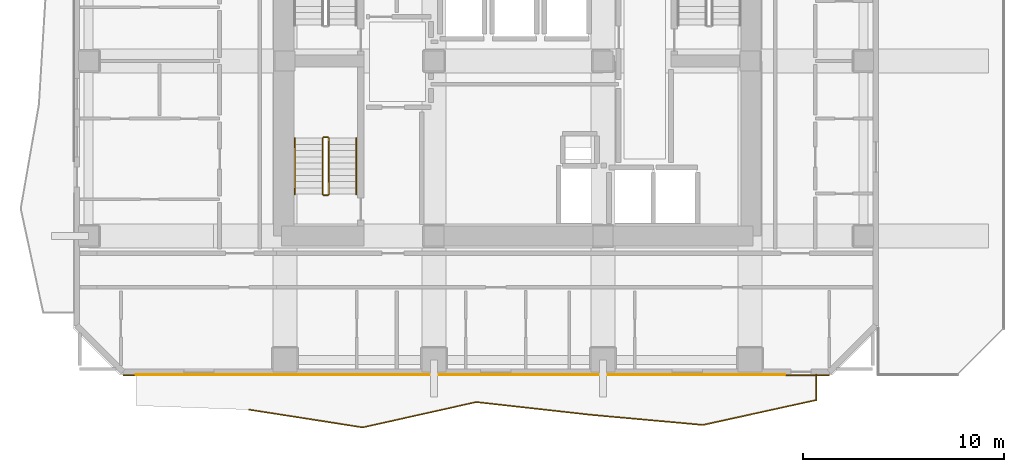
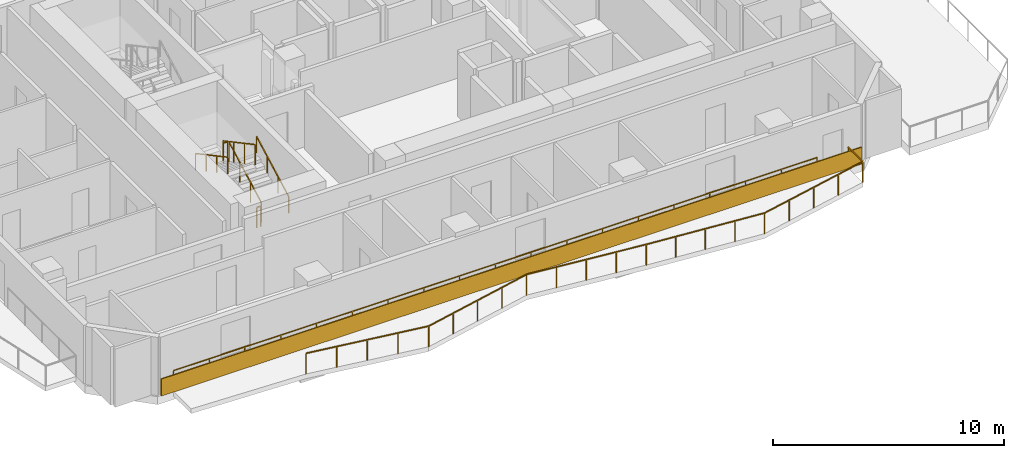
# One storey, part 8 of 11: 8 railings, 1 covering.
"""IFC4 building model written with IfcOpenShell, lengths in metres."""

from ifc_helpers import new_model, si_unit, direction, frame, frame_2d, origin, origin_2d, place, context, subcontext, project, spatial, rectangle, extrude, material, layer, layer_set, type_object, element, save


model = new_model("IFC4")

# Units and contexts
model_context = context("Model", 3, precision=1e-05, world=origin(), true_north=direction((0.0, 1.0)))
body_context = subcontext(model_context, "Body", "Model", "MODEL_VIEW")
ifc_project = project(units=[si_unit("LENGTHUNIT", "METRE"), si_unit("AREAUNIT", "SQUARE_METRE"), si_unit("VOLUMEUNIT", "CUBIC_METRE"), si_unit("PLANEANGLEUNIT", "RADIAN"), si_unit("MASSUNIT", "GRAM", prefix="KILO")], contexts=[model_context])

# Site, building, storey
site_placement = place(None, origin())
site = spatial("IfcSite", under=ifc_project, at=site_placement, CompositionType="ELEMENT")
building_placement = place(site_placement, origin())
building = spatial("IfcBuilding", under=site, at=building_placement, Name="Solanera Arch Residences", CompositionType="ELEMENT")
storey_placement = place(building_placement, frame((0.0, 0.0, 165.840087890625)))
storey = spatial("IfcBuildingStorey", under=building, at=storey_placement, Name="L48", CompositionType="ELEMENT", Elevation=165.840087890625)

# Railings
ifc_material_1 = material(Name="Steel S355 (ASTM A992 / A572 Grade 50)", Category="steel")
railing_type_1 = type_object("IfcRailingType", Name="Balustrade Railing BL-1100", PredefinedType="BALUSTRADE", material=ifc_material_1)
railing_1_placement = place(storey_placement, frame((11.633056640625, 13.37109375, 0.0)))
element("IfcRailing", 1, at=railing_1_placement, inside=storey, type_object=railing_type_1, Name="L48 S Balcony Balustrade 1", PredefinedType="BALUSTRADE", context=body_context, shape_type="SweptSolid", body=[
    extrude(rectangle(XDim=0.048095703125, YDim=0.048095703125, at=origin_2d()), frame((0.0, 0.0, 1.09619140625), z_axis=(0.988017134967, -0.154344228953, 0.0), x_axis=(0.154344228953, 0.988017134967, 0.0)), (0.0, 0.0, 1.0), 5.702392578125),
    extrude(rectangle(XDim=0.048095703125, YDim=0.048095703125, at=origin_2d()), frame((5.634033203125, -0.880126953125, 1.09619140625), z_axis=(0.975918590037, 0.218135062796, 0.0), x_axis=(-0.218135062796, 0.975918590037, 0.0)), (0.0, 0.0, 1.0), 5.771728515625),
    extrude(rectangle(XDim=0.048095703125, YDim=0.048095703125, at=origin_2d()), frame((11.266845703125, 0.37890625, 1.09619140625), z_axis=(0.993863230809, -0.110615905028, 0.0), x_axis=(0.110615905028, 0.993863230809, 0.0)), (0.0, 0.0, 1.0), 5.667724609375),
    extrude(rectangle(XDim=0.048095703125, YDim=0.048095703125, at=origin_2d()), frame((16.89990234375, -0.248046875, 1.09619140625), z_axis=(0.995943285561, -0.089983175907, 0.0), x_axis=(0.089983175907, 0.995943285561, 0.0)), (0.0, 0.0, 1.0), 5.656982421875),
    extrude(rectangle(XDim=0.048095703125, YDim=0.048095703125, at=origin_2d()), frame((22.533935546875, -0.757080078125, 1.09619140625), z_axis=(0.976760341642, 0.214334399936, 0.0), x_axis=(-0.214334399936, 0.976760341642, 0.0)), (0.0, 0.0, 1.0), 5.76708984375),
    extrude(rectangle(XDim=0.048095703125, YDim=0.048095703125, at=origin_2d()), frame((28.1669921875, 0.47900390625, 1.09619140625), z_axis=(0.0, 1.0, 0.0), x_axis=(-1.0, 0.0, 0.0)), (0.0, 0.0, 1.0), 1.27001953125),
    extrude(rectangle(XDim=0.0419921875, YDim=0.0419921875, at=origin_2d()), origin(), (0.0, 0.0, 1.0), 1.072021484375),
    extrude(rectangle(XDim=0.0419921875, YDim=0.0419921875, at=origin_2d()), frame((1.408447265625, -0.219970703125, 0.0)), (0.0, 0.0, 1.0), 1.072021484375),
    extrude(rectangle(XDim=0.0419921875, YDim=0.0419921875, at=origin_2d()), frame((2.81689453125, -0.43994140625, 0.0)), (0.0, 0.0, 1.0), 1.072021484375),
    extrude(rectangle(XDim=0.0419921875, YDim=0.0419921875, at=origin_2d()), frame((4.2255859375, -0.66015625, 0.0)), (0.0, 0.0, 1.0), 1.072021484375),
    extrude(rectangle(XDim=0.0419921875, YDim=0.0419921875, at=origin_2d()), frame((5.634033203125, -0.880126953125, 0.0)), (0.0, 0.0, 1.0), 1.072021484375),
    extrude(rectangle(XDim=0.0419921875, YDim=0.0419921875, at=origin_2d()), frame((7.042236328125, -0.5654296875, 0.0)), (0.0, 0.0, 1.0), 1.072021484375),
    extrude(rectangle(XDim=0.0419921875, YDim=0.0419921875, at=origin_2d()), frame((8.450439453125, -0.25048828125, 0.0)), (0.0, 0.0, 1.0), 1.072021484375),
    extrude(rectangle(XDim=0.0419921875, YDim=0.0419921875, at=origin_2d()), frame((9.858642578125, 0.064208984375, 0.0)), (0.0, 0.0, 1.0), 1.072021484375),
    extrude(rectangle(XDim=0.0419921875, YDim=0.0419921875, at=origin_2d()), frame((11.266845703125, 0.37890625, 0.0)), (0.0, 0.0, 1.0), 1.072021484375),
    extrude(rectangle(XDim=0.0419921875, YDim=0.0419921875, at=origin_2d()), frame((12.675048828125, 0.22216796875, 0.0)), (0.0, 0.0, 1.0), 1.072021484375),
    extrude(rectangle(XDim=0.0419921875, YDim=0.0419921875, at=origin_2d()), frame((14.08349609375, 0.0654296875, 0.0)), (0.0, 0.0, 1.0), 1.072021484375),
    extrude(rectangle(XDim=0.0419921875, YDim=0.0419921875, at=origin_2d()), frame((15.49169921875, -0.09130859375, 0.0)), (0.0, 0.0, 1.0), 1.072021484375),
    extrude(rectangle(XDim=0.0419921875, YDim=0.0419921875, at=origin_2d()), frame((16.89990234375, -0.248046875, 0.0)), (0.0, 0.0, 1.0), 1.072021484375),
    extrude(rectangle(XDim=0.0419921875, YDim=0.0419921875, at=origin_2d()), frame((18.308349609375, -0.375244140625, 0.0)), (0.0, 0.0, 1.0), 1.072021484375),
    extrude(rectangle(XDim=0.0419921875, YDim=0.0419921875, at=origin_2d()), frame((19.716796875, -0.50244140625, 0.0)), (0.0, 0.0, 1.0), 1.072021484375),
    extrude(rectangle(XDim=0.0419921875, YDim=0.0419921875, at=origin_2d()), frame((21.12548828125, -0.6298828125, 0.0)), (0.0, 0.0, 1.0), 1.072021484375),
    extrude(rectangle(XDim=0.0419921875, YDim=0.0419921875, at=origin_2d()), frame((22.533935546875, -0.757080078125, 0.0)), (0.0, 0.0, 1.0), 1.072021484375),
    extrude(rectangle(XDim=0.0419921875, YDim=0.0419921875, at=origin_2d()), frame((23.942138671875, -0.447998046875, 0.0)), (0.0, 0.0, 1.0), 1.072021484375),
    extrude(rectangle(XDim=0.0419921875, YDim=0.0419921875, at=origin_2d()), frame((25.3505859375, -0.13916015625, 0.0)), (0.0, 0.0, 1.0), 1.072021484375),
    extrude(rectangle(XDim=0.0419921875, YDim=0.0419921875, at=origin_2d()), frame((26.7587890625, 0.169921875, 0.0)), (0.0, 0.0, 1.0), 1.072021484375),
    extrude(rectangle(XDim=0.0419921875, YDim=0.0419921875, at=origin_2d()), frame((28.1669921875, 0.47900390625, 0.0)), (0.0, 0.0, 1.0), 1.072021484375),
    extrude(rectangle(XDim=0.0419921875, YDim=0.0419921875, at=origin_2d()), frame((28.1669921875, 1.7490234375, 0.0)), (0.0, 0.0, 1.0), 1.072021484375),
])
railing_2_placement = place(storey_placement, frame((38.240966796875, 15.1201171875, 0.0)))
element("IfcRailing", 2, at=railing_2_placement, inside=storey, type_object=railing_type_1, Name="L48 S Balcony Balustrade 2", PredefinedType="BALUSTRADE", context=body_context, shape_type="SweptSolid", body=[
    extrude(rectangle(XDim=0.048095703125, YDim=0.048095703125, at=origin_2d()), frame((0.0, 0.0, 1.09619140625), z_axis=(-1.0, 0.0, 0.0), x_axis=(0.0, -1.0, 0.0)), (0.0, 0.0, 1.0), 32.240966796875),
    extrude(rectangle(XDim=0.0419921875, YDim=0.0419921875, at=origin_2d()), origin(), (0.0, 0.0, 1.0), 1.072021484375),
    extrude(rectangle(XDim=0.0419921875, YDim=0.0419921875, at=origin_2d()), frame((-1.791259765625, 0.0, 0.0)), (0.0, 0.0, 1.0), 1.072021484375),
    extrude(rectangle(XDim=0.0419921875, YDim=0.0419921875, at=origin_2d()), frame((-3.582275390625, 0.0, 0.0)), (0.0, 0.0, 1.0), 1.072021484375),
    extrude(rectangle(XDim=0.0419921875, YDim=0.0419921875, at=origin_2d()), frame((-5.37353515625, 0.0, 0.0)), (0.0, 0.0, 1.0), 1.072021484375),
    extrude(rectangle(XDim=0.0419921875, YDim=0.0419921875, at=origin_2d()), frame((-7.16455078125, 0.0, 0.0)), (0.0, 0.0, 1.0), 1.072021484375),
    extrude(rectangle(XDim=0.0419921875, YDim=0.0419921875, at=origin_2d()), frame((-8.955810546875, 0.0, 0.0)), (0.0, 0.0, 1.0), 1.072021484375),
    extrude(rectangle(XDim=0.0419921875, YDim=0.0419921875, at=origin_2d()), frame((-10.7470703125, 0.0, 0.0)), (0.0, 0.0, 1.0), 1.072021484375),
    extrude(rectangle(XDim=0.0419921875, YDim=0.0419921875, at=origin_2d()), frame((-12.5380859375, 0.0, 0.0)), (0.0, 0.0, 1.0), 1.072021484375),
    extrude(rectangle(XDim=0.0419921875, YDim=0.0419921875, at=origin_2d()), frame((-14.329345703125, 0.0, 0.0)), (0.0, 0.0, 1.0), 1.072021484375),
    extrude(rectangle(XDim=0.0419921875, YDim=0.0419921875, at=origin_2d()), frame((-16.12060546875, 0.0, 0.0)), (0.0, 0.0, 1.0), 1.072021484375),
    extrude(rectangle(XDim=0.0419921875, YDim=0.0419921875, at=origin_2d()), frame((-17.91162109375, 0.0, 0.0)), (0.0, 0.0, 1.0), 1.072021484375),
    extrude(rectangle(XDim=0.0419921875, YDim=0.0419921875, at=origin_2d()), frame((-19.702880859375, 0.0, 0.0)), (0.0, 0.0, 1.0), 1.072021484375),
    extrude(rectangle(XDim=0.0419921875, YDim=0.0419921875, at=origin_2d()), frame((-21.493896484375, 0.0, 0.0)), (0.0, 0.0, 1.0), 1.072021484375),
    extrude(rectangle(XDim=0.0419921875, YDim=0.0419921875, at=origin_2d()), frame((-23.28515625, 0.0, 0.0)), (0.0, 0.0, 1.0), 1.072021484375),
    extrude(rectangle(XDim=0.0419921875, YDim=0.0419921875, at=origin_2d()), frame((-25.076416015625, 0.0, 0.0)), (0.0, 0.0, 1.0), 1.072021484375),
    extrude(rectangle(XDim=0.0419921875, YDim=0.0419921875, at=origin_2d()), frame((-26.867431640625, 0.0, 0.0)), (0.0, 0.0, 1.0), 1.072021484375),
    extrude(rectangle(XDim=0.0419921875, YDim=0.0419921875, at=origin_2d()), frame((-28.65869140625, 0.0, 0.0)), (0.0, 0.0, 1.0), 1.072021484375),
    extrude(rectangle(XDim=0.0419921875, YDim=0.0419921875, at=origin_2d()), frame((-30.44970703125, 0.0, 0.0)), (0.0, 0.0, 1.0), 1.072021484375),
    extrude(rectangle(XDim=0.0419921875, YDim=0.0419921875, at=origin_2d()), frame((-32.240966796875, 0.0, 0.0)), (0.0, 0.0, 1.0), 1.072021484375),
])

# Covering
ifc_material_2 = material(Name="Philippine Adobe Travertine Cladding", Category="masonry")
ifc_layer = layer(ifc_material_2, 0.06005859375)
ifc_layer_set = layer_set([ifc_layer], Name="Philippine Adobe Travertine Cladding")
covering_type = type_object("IfcCoveringType", Name="Precast Pier Stone Cladding CLD-60", PredefinedType="CLADDING", material=ifc_layer_set)
covering_placement = place(storey_placement, frame((40.445068359375, 15.0849609375, 0.0), z_axis=(0.0, 0.0, 1.0), x_axis=(-1.0, 0.0, 0.0)))
element("IfcCovering", 3, at=covering_placement, inside=storey, type_object=covering_type, Name="L48 S Precast Spandrel Stone Band", PredefinedType="CLADDING", context=body_context, shape_type="SweptSolid", body=[
    extrude(rectangle(XDim=35.090087890625, YDim=0.06005859375, at=frame_2d((17.544921875, 0.0))), origin(), (0.0, 0.0, 1.0), 0.89990234375),
])

# Railings
ifc_material_3 = material(Name="Steel S355 (ASTM A992 / A572 Grade 50)", Category="steel")
railing_type_2 = type_object("IfcRailingType", Name="Stair Guardrail GR-1100", PredefinedType="GUARDRAIL", material=ifc_material_3)
railing_3_placement = place(storey_placement, frame((15.570068359375, 24.080078125, 0.15087890625)))
element("IfcRailing", 4, at=railing_3_placement, inside=storey, type_object=railing_type_2, Name="L48 ST-T3 stair guard 1", PredefinedType="GUARDRAIL", context=body_context, shape_type="SweptSolid", body=[
    extrude(rectangle(XDim=0.048095703125, YDim=0.048095703125, at=origin_2d()), frame((0.0, 0.0, 1.076171875), z_axis=(0.0, 0.881548766853, 0.472092969298), x_axis=(-1.0, 0.0, 0.0)), (0.0, 0.0, 1.0), 3.1650390625),
    extrude(rectangle(XDim=0.0419921875, YDim=0.0419921875, at=origin_2d()), origin(), (0.0, 0.0, 1.0), 1.052001953125),
    extrude(rectangle(XDim=0.0419921875, YDim=0.0419921875, at=origin_2d()), frame((0.0, 0.929931640625, 0.498046875)), (0.0, 0.0, 1.0), 1.052001953125),
    extrude(rectangle(XDim=0.0419921875, YDim=0.0419921875, at=origin_2d()), frame((0.0, 1.860107421875, 0.99609375)), (0.0, 0.0, 1.0), 1.052001953125),
    extrude(rectangle(XDim=0.0419921875, YDim=0.0419921875, at=origin_2d()), frame((0.0, 2.7900390625, 1.494140625)), (0.0, 0.0, 1.0), 1.052001953125),
])
railing_4_placement = place(storey_placement, frame((15.52001953125, 26.919921875, 1.64501953125)))
element("IfcRailing", 5, at=railing_4_placement, inside=storey, type_object=railing_type_2, Name="L48 ST-T3 stair guard 2", PredefinedType="GUARDRAIL", context=body_context, shape_type="SweptSolid", body=[
    extrude(rectangle(XDim=0.048095703125, YDim=0.048095703125, at=origin_2d()), frame((0.0, 0.0, 1.076171875), z_axis=(-1.0, 0.0, 0.0), x_axis=(0.0, -1.0, 0.0)), (0.0, 0.0, 1.0), 0.199951171875),
    extrude(rectangle(XDim=0.0419921875, YDim=0.0419921875, at=origin_2d()), origin(), (0.0, 0.0, 1.0), 1.052001953125),
    extrude(rectangle(XDim=0.0419921875, YDim=0.0419921875, at=origin_2d()), frame((-0.199951171875, 0.0, 0.0)), (0.0, 0.0, 1.0), 1.052001953125),
])
railing_5_placement = place(storey_placement, frame((15.27001953125, 26.8701171875, 1.810791015625)))
element("IfcRailing", 6, at=railing_5_placement, inside=storey, type_object=railing_type_2, Name="L48 ST-T3 stair guard 3", PredefinedType="GUARDRAIL", context=body_context, shape_type="SweptSolid", body=[
    extrude(rectangle(XDim=0.048095703125, YDim=0.048095703125, at=origin_2d()), frame((0.0, 0.0, 1.076171875), z_axis=(0.0, -0.881548766853, 0.472092969298), x_axis=(1.0, 0.0, 0.0)), (0.0, 0.0, 1.0), 3.1650390625),
    extrude(rectangle(XDim=0.0419921875, YDim=0.0419921875, at=origin_2d()), origin(), (0.0, 0.0, 1.0), 1.052001953125),
    extrude(rectangle(XDim=0.0419921875, YDim=0.0419921875, at=origin_2d()), frame((0.0, -0.929931640625, 0.498046875)), (0.0, 0.0, 1.0), 1.052001953125),
    extrude(rectangle(XDim=0.0419921875, YDim=0.0419921875, at=origin_2d()), frame((0.0, -1.860107421875, 0.99609375)), (0.0, 0.0, 1.0), 1.052001953125),
    extrude(rectangle(XDim=0.0419921875, YDim=0.0419921875, at=origin_2d()), frame((0.0, -2.7900390625, 1.494140625)), (0.0, 0.0, 1.0), 1.052001953125),
])
railing_6_placement = place(storey_placement, frame((15.52001953125, 24.030029296875, -0.01513671875)))
element("IfcRailing", 7, at=railing_6_placement, inside=storey, type_object=railing_type_2, Name="L48 ST-T3 stair guard 4", PredefinedType="GUARDRAIL", context=body_context, shape_type="SweptSolid", body=[
    extrude(rectangle(XDim=0.048095703125, YDim=0.048095703125, at=origin_2d()), frame((0.0, 0.0, 1.076171875), z_axis=(-1.0, 0.0, 0.0), x_axis=(0.0, -1.0, 0.0)), (0.0, 0.0, 1.0), 0.199951171875),
    extrude(rectangle(XDim=0.0419921875, YDim=0.0419921875, at=origin_2d()), origin(), (0.0, 0.0, 1.0), 1.052001953125),
    extrude(rectangle(XDim=0.0419921875, YDim=0.0419921875, at=origin_2d()), frame((-0.199951171875, 0.0, 0.0)), (0.0, 0.0, 1.0), 1.052001953125),
])
ifc_material_4 = material(Name="Steel S355 (ASTM A992 / A572 Grade 50)", Category="steel")
railing_type_3 = type_object("IfcRailingType", Name="Stair Wall Handrail HR-920", PredefinedType="HANDRAIL", material=ifc_material_4)
railing_7_placement = place(storey_placement, frame((16.949951171875, 24.080078125, 0.166015625)))
element("IfcRailing", 8, at=railing_7_placement, inside=storey, type_object=railing_type_3, Name="L48 ST-T3 stair handrail 1", PredefinedType="HANDRAIL", context=body_context, shape_type="SweptSolid", body=[
    extrude(rectangle(XDim=0.048095703125, YDim=0.048095703125, at=origin_2d()), frame((0.0, 0.0, 0.8759765625), z_axis=(0.0, 0.881580869306, 0.472033018838), x_axis=(-1.0, 0.0, 0.0)), (0.0, 0.0, 1.0), 3.164794921875),
    extrude(rectangle(XDim=0.0419921875, YDim=0.0419921875, at=origin_2d()), origin(), (0.0, 0.0, 1.0), 0.851806640625),
    extrude(rectangle(XDim=0.0419921875, YDim=0.0419921875, at=origin_2d()), frame((0.0, 0.929931640625, 0.498046875)), (0.0, 0.0, 1.0), 0.851806640625),
    extrude(rectangle(XDim=0.0419921875, YDim=0.0419921875, at=origin_2d()), frame((0.0, 1.860107421875, 0.995849609375)), (0.0, 0.0, 1.0), 0.851806640625),
    extrude(rectangle(XDim=0.0419921875, YDim=0.0419921875, at=origin_2d()), frame((0.0, 2.7900390625, 1.493896484375)), (0.0, 0.0, 1.0), 0.851806640625),
])
railing_8_placement = place(storey_placement, frame((13.889892578125, 26.8701171875, 1.825927734375)))
element("IfcRailing", 9, at=railing_8_placement, inside=storey, type_object=railing_type_3, Name="L48 ST-T3 stair handrail 2", PredefinedType="HANDRAIL", context=body_context, shape_type="SweptSolid", body=[
    extrude(rectangle(XDim=0.048095703125, YDim=0.048095703125, at=origin_2d()), frame((0.0, 0.0, 0.8759765625), z_axis=(0.0, -0.881580869306, 0.472033018838), x_axis=(1.0, 0.0, 0.0)), (0.0, 0.0, 1.0), 3.164794921875),
    extrude(rectangle(XDim=0.0419921875, YDim=0.0419921875, at=origin_2d()), origin(), (0.0, 0.0, 1.0), 0.851806640625),
    extrude(rectangle(XDim=0.0419921875, YDim=0.0419921875, at=origin_2d()), frame((0.0, -0.929931640625, 0.498046875)), (0.0, 0.0, 1.0), 0.851806640625),
    extrude(rectangle(XDim=0.0419921875, YDim=0.0419921875, at=origin_2d()), frame((0.0, -1.860107421875, 0.995849609375)), (0.0, 0.0, 1.0), 0.851806640625),
    extrude(rectangle(XDim=0.0419921875, YDim=0.0419921875, at=origin_2d()), frame((0.0, -2.7900390625, 1.493896484375)), (0.0, 0.0, 1.0), 0.851806640625),
])

save(model, "model.ifc")
